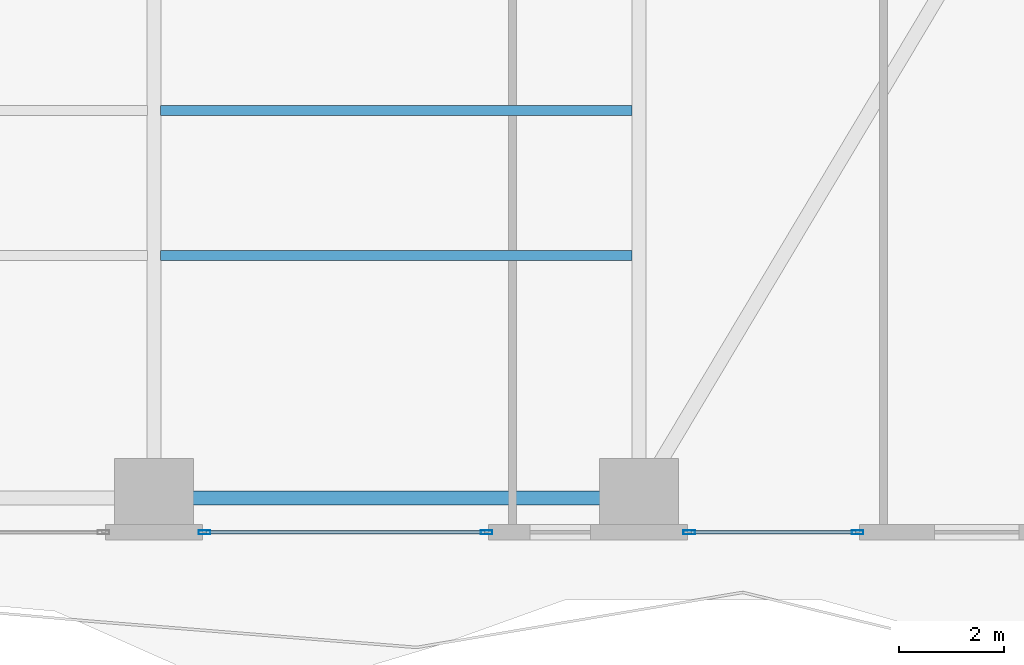
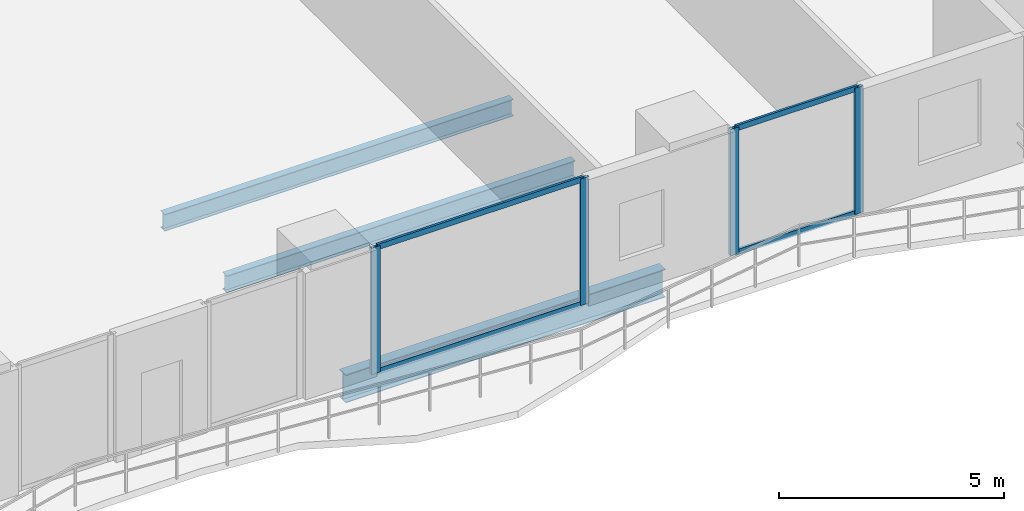
# One storey, part 8 of 28: 8 members, 3 beams, 2 elements without a shape of their own.
"""IFC4 building model written with IfcOpenShell, lengths in metres."""

from ifc_helpers import new_model, si_unit, direction, frame, origin, origin_2d, place, context, subcontext, project, spatial, hollow_rectangle, i_section, extrude, material, layer, layer_set, material_profile, profile_set, type_object, element, aggregate, save


model = new_model("IFC4")

# Units and contexts
model_context = context("Model", 3, precision=1e-05, world=origin(), true_north=direction((0.0, 1.0)))
body_context = subcontext(model_context, "Body", "Model", "MODEL_VIEW")
ifc_project = project(units=[si_unit("LENGTHUNIT", "METRE"), si_unit("AREAUNIT", "SQUARE_METRE"), si_unit("VOLUMEUNIT", "CUBIC_METRE"), si_unit("PLANEANGLEUNIT", "RADIAN"), si_unit("MASSUNIT", "GRAM", prefix="KILO")], contexts=[model_context])

# Site, building, storey
site_placement = place(None, origin())
site = spatial("IfcSite", under=ifc_project, at=site_placement, CompositionType="ELEMENT")
building_placement = place(site_placement, origin())
building = spatial("IfcBuilding", under=site, at=building_placement, Name="Zuhayl Quay Hotel", CompositionType="ELEMENT")
storey_placement = place(building_placement, frame((0.0, 0.0, 78.699951171875)))
storey = spatial("IfcBuildingStorey", under=building, at=storey_placement, Name="L19", CompositionType="ELEMENT", Elevation=78.699951171875)

# Beams
ifc_material_1 = material(Name="Steel ASTM A992 Grade 50", Category="steel")
ifc_material_profile_1 = material_profile(ifc_material_1, i_section(OverallWidth=0.26708984375, OverallDepth=0.761962890625, WebThickness=0.014404296875, FlangeThickness=0.021484375, at=origin_2d()), Name="W30X116")
ifc_profile_set_1 = profile_set([ifc_material_profile_1], Name="Steel ASTM A992 Grade 50")
beam_type_1 = type_object("IfcBeamType", Name="BM_B1_W30X116", PredefinedType="BEAM", material=ifc_profile_set_1)
beam_placement = place(storey_placement, frame((5.10009765625, -22.449951171875, -0.600830078125), z_axis=(1.0, 0.0, 0.0), x_axis=(0.0, 1.0, 0.0)))
element("IfcBeam", 1, at=beam_placement, inside=storey, type_object=beam_type_1, Name="L19 Floor Beam RG_L19_03", PredefinedType="BEAM", context=body_context, shape_type="SweptSolid", body=[
    extrude(i_section(OverallWidth=0.26708984375, OverallDepth=0.761962890625, WebThickness=0.014404296875, FlangeThickness=0.021484375, at=origin_2d()), origin(), (0.0, 0.0, 1.0), 8.199951171875),
])
ifc_material_profile_2 = material_profile(ifc_material_1, i_section(OverallWidth=0.18994140625, OverallDepth=0.45703125, WebThickness=0.009033203125, FlangeThickness=0.014404296875, at=origin_2d()), Name="W18X50")
ifc_profile_set_2 = profile_set([ifc_material_profile_2], Name="Steel ASTM A992 Grade 50")
beam_type_2 = type_object("IfcBeamType", Name="BM_J2_W18X50", PredefinedType="JOIST", material=ifc_profile_set_2)
for number, where, z_axis, x_axis, name in (
    (2, (4.7255859375, -17.85009765625, -0.448486328125), (1.0, 0.0, 0.0), (0.0, 1.0, 0.0), "L19 Floor Beam FJ_L19_3_3"),
    (3, (4.7255859375, -15.10009765625, -0.448486328125), (1.0, 0.0, 0.0), (0.0, 1.0, 0.0), "L19 Floor Beam FJ_L19_4_3"),
):
    element("IfcBeam", number, at=place(storey_placement, frame(where, z_axis=z_axis, x_axis=x_axis)), inside=storey, type_object=beam_type_2, Name=name, PredefinedType="JOIST", context=body_context, shape_type="SweptSolid", body=[
        extrude(i_section(OverallWidth=0.18994140625, OverallDepth=0.45703125, WebThickness=0.009033203125, FlangeThickness=0.014404296875, at=origin_2d()), origin(), (0.0, 0.0, 1.0), 8.948974609375),
    ])

# Curtain wall, members
ifc_material_2 = material(Name="Anodised Aluminium 6063-T6", Category="aluminium")
ifc_layer = layer(ifc_material_2, 0.18994140625, Name="Anodised Aluminium 6063-T6", Category="aluminium")
ifc_layer_set = layer_set([ifc_layer], Name="Anodised Aluminium 6063-T6")
curtain_wall_type = type_object("IfcCurtainWallType", Name="CW_SYS_Z1", PredefinedType="USERDEFINED", material=ifc_layer_set)
curtain_wall_1_placement = place(storey_placement, origin())
curtain_wall_1 = element("IfcCurtainWall", 4, at=curtain_wall_1_placement, inside=storey, type_object=curtain_wall_type, Name="L19 Curtain Wall ENV_L19_S_CW1", ObjectType="UNITISED CURTAIN WALL", PredefinedType="USERDEFINED")
ifc_material_3 = material(Name="Black-anodised aluminium 6063-T6", Category="aluminium")
ifc_material_profile_3 = material_profile(ifc_material_3, hollow_rectangle(XDim=0.074951171875, YDim=0.219970703125, WallThickness=0.00390625, at=origin_2d()), Name="ALU220X75")
ifc_profile_set_3 = profile_set([ifc_material_profile_3], Name="Black-anodised aluminium 6063-T6")
member_type_1 = type_object("IfcMemberType", Name="MB_CW_MUL_220", PredefinedType="MULLION", material=ifc_profile_set_3)
member_1_placement = place(storey_placement, frame((17.952392578125, -23.10009765625, 0.0), z_axis=(0.0, 0.0, 1.0), x_axis=(0.0, -1.0, 0.0)))
member_1 = element("IfcMember", 5, at=member_1_placement, type_object=member_type_1, Name="CW-Z1 mullion 1", PredefinedType="MULLION", context=body_context, shape_type="SweptSolid", body=[
    extrude(hollow_rectangle(XDim=0.074951171875, YDim=0.219970703125, WallThickness=0.00390625, at=origin_2d()), origin(), (0.0, 0.0, 1.0), 3.429931640625),
])
member_2_placement = place(storey_placement, frame((14.757568359375, -23.10009765625, 0.0), z_axis=(0.0, 0.0, 1.0), x_axis=(0.0, -1.0, 0.0)))
member_2 = element("IfcMember", 6, at=member_2_placement, type_object=member_type_1, Name="CW-Z1 mullion 2", PredefinedType="MULLION", context=body_context, shape_type="SweptSolid", body=[
    extrude(hollow_rectangle(XDim=0.074951171875, YDim=0.219970703125, WallThickness=0.00390625, at=origin_2d()), origin(), (0.0, 0.0, 1.0), 3.429931640625),
])

curtain_wall_2_placement = place(storey_placement, origin())
curtain_wall_2 = element("IfcCurtainWall", 7, at=curtain_wall_2_placement, inside=storey, type_object=curtain_wall_type, Name="L19 Curtain Wall ENV_L19_S_CW2", ObjectType="UNITISED CURTAIN WALL", PredefinedType="USERDEFINED")
member_3_placement = place(storey_placement, frame((10.91259765625, -23.10009765625, 0.0), z_axis=(0.0, 0.0, 1.0), x_axis=(0.0, -1.0, 0.0)))
member_3 = element("IfcMember", 8, at=member_3_placement, type_object=member_type_1, Name="CW-Z1 mullion 1", PredefinedType="MULLION", context=body_context, shape_type="SweptSolid", body=[
    extrude(hollow_rectangle(XDim=0.074951171875, YDim=0.219970703125, WallThickness=0.00390625, at=origin_2d()), origin(), (0.0, 0.0, 1.0), 3.429931640625),
])
member_4_placement = place(storey_placement, frame((5.5576171875, -23.10009765625, 0.0), z_axis=(0.0, 0.0, 1.0), x_axis=(0.0, -1.0, 0.0)))
member_4 = element("IfcMember", 9, at=member_4_placement, type_object=member_type_1, Name="CW-Z1 mullion 2", PredefinedType="MULLION", context=body_context, shape_type="SweptSolid", body=[
    extrude(hollow_rectangle(XDim=0.074951171875, YDim=0.219970703125, WallThickness=0.00390625, at=origin_2d()), origin(), (0.0, 0.0, 1.0), 3.429931640625),
])

# Member
ifc_material_profile_4 = material_profile(ifc_material_3, hollow_rectangle(XDim=0.06005859375, YDim=0.14990234375, WallThickness=0.00341796875, at=origin_2d()), Name="ALU150X60")
ifc_profile_set_4 = profile_set([ifc_material_profile_4], Name="Black-anodised aluminium 6063-T6")
member_type_2 = type_object("IfcMemberType", Name="MB_CW_TRN_150", PredefinedType="USERDEFINED", material=ifc_profile_set_4)
member_5_placement = place(storey_placement, frame((17.9150390625, -23.10009765625, 0.030029296875), z_axis=(-1.0, 0.0, 0.0), x_axis=(0.0, -1.0, 0.0)))
member_5 = element("IfcMember", 10, at=member_5_placement, type_object=member_type_2, Name="CW-Z1 transom 1.1", ObjectType="TRANSOM", PredefinedType="USERDEFINED", context=body_context, shape_type="SweptSolid", body=[
    extrude(hollow_rectangle(XDim=0.06005859375, YDim=0.14990234375, WallThickness=0.00341796875, at=origin_2d()), origin(), (0.0, 0.0, 1.0), 3.1201171875),
])

member_6_placement = place(storey_placement, frame((17.9150390625, -23.10009765625, 3.400146484375), z_axis=(-1.0, 0.0, 0.0), x_axis=(0.0, -1.0, 0.0)))
member_6 = element("IfcMember", 11, at=member_6_placement, type_object=member_type_2, Name="CW-Z1 transom 1.2", ObjectType="TRANSOM", PredefinedType="USERDEFINED", context=body_context, shape_type="SweptSolid", body=[
    extrude(hollow_rectangle(XDim=0.06005859375, YDim=0.14990234375, WallThickness=0.00341796875, at=origin_2d()), origin(), (0.0, 0.0, 1.0), 3.1201171875),
])

aggregate(curtain_wall_1, [member_1, member_2, member_5, member_6])

member_7_placement = place(storey_placement, frame((10.875, -23.10009765625, 0.030029296875), z_axis=(-1.0, 0.0, 0.0), x_axis=(0.0, -1.0, 0.0)))
member_7 = element("IfcMember", 12, at=member_7_placement, type_object=member_type_2, Name="CW-Z1 transom 1.1", ObjectType="TRANSOM", PredefinedType="USERDEFINED", context=body_context, shape_type="SweptSolid", body=[
    extrude(hollow_rectangle(XDim=0.06005859375, YDim=0.14990234375, WallThickness=0.00341796875, at=origin_2d()), origin(), (0.0, 0.0, 1.0), 5.280029296875),
])

member_8_placement = place(storey_placement, frame((10.875, -23.10009765625, 3.400146484375), z_axis=(-1.0, 0.0, 0.0), x_axis=(0.0, -1.0, 0.0)))
member_8 = element("IfcMember", 13, at=member_8_placement, type_object=member_type_2, Name="CW-Z1 transom 1.2", ObjectType="TRANSOM", PredefinedType="USERDEFINED", context=body_context, shape_type="SweptSolid", body=[
    extrude(hollow_rectangle(XDim=0.06005859375, YDim=0.14990234375, WallThickness=0.00341796875, at=origin_2d()), origin(), (0.0, 0.0, 1.0), 5.280029296875),
])

aggregate(curtain_wall_2, [member_3, member_4, member_7, member_8])

save(model, "model.ifc")
